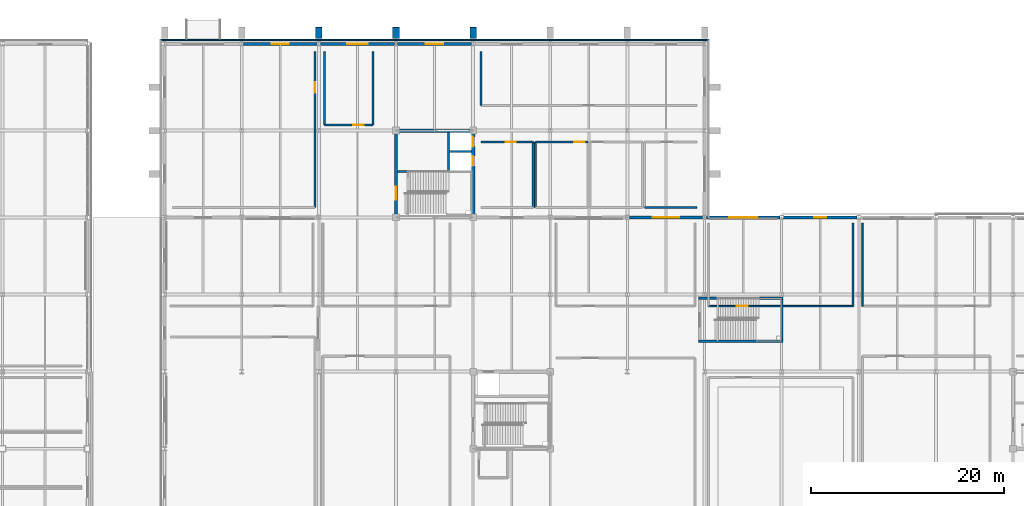
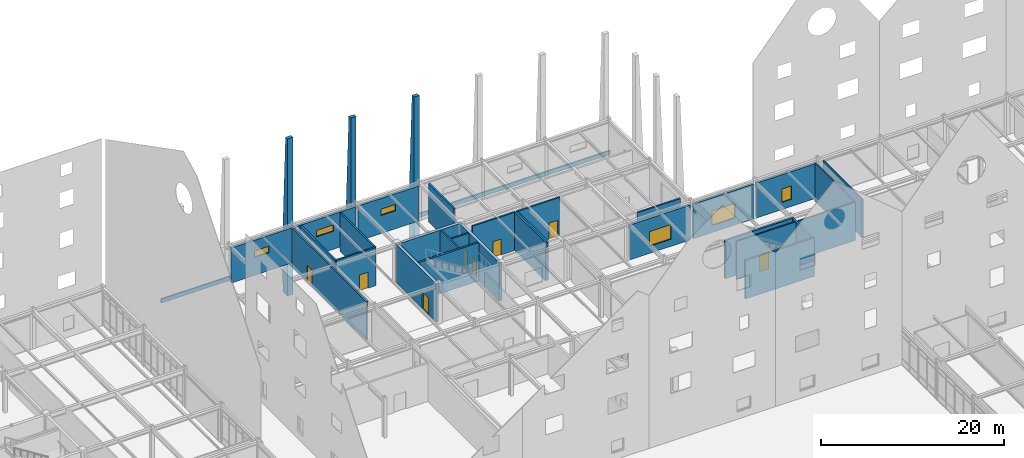
# One storey, part 94 of 119: 32 walls, 8 doors, 6 windows, 14 openings.
"""IFC4 building model written with IfcOpenShell, lengths in metres."""

from ifc_helpers import new_model, si_unit, direction, frame, frame_2d, origin, place, context, subcontext, project, spatial, polyline, rectangle, outline, extrude, material, layer, layer_set, type_object, element, fill, save


model = new_model("IFC4")

# Units and contexts
model_context = context("Model", 3, precision=1e-05, world=origin(), true_north=direction((0.0, 1.0)))
body_context = subcontext(model_context, "Body", "Model", "MODEL_VIEW")
ifc_project = project(units=[si_unit("LENGTHUNIT", "METRE"), si_unit("AREAUNIT", "SQUARE_METRE"), si_unit("VOLUMEUNIT", "CUBIC_METRE"), si_unit("PLANEANGLEUNIT", "RADIAN"), si_unit("MASSUNIT", "GRAM", prefix="KILO")], contexts=[model_context])

# Site, building, storey
site_placement = place(None, origin())
site = spatial("IfcSite", under=ifc_project, at=site_placement, CompositionType="ELEMENT")
building_placement = place(site_placement, origin())
building = spatial("IfcBuilding", under=site, at=building_placement, Name="Zhaolan Boulevard Law Courts", CompositionType="ELEMENT")
storey_placement = place(building_placement, origin())
storey = spatial("IfcBuildingStorey", under=building, at=storey_placement, Name="L00", CompositionType="ELEMENT", Elevation=0.0)

# Wall
ifc_material_1 = material(Name="Concrete C50", Category="concrete")
ifc_layer_1 = layer(ifc_material_1, 0.35009765625)
ifc_layer_set_1 = layer_set([ifc_layer_1])
wall_type_1 = type_object("IfcWallType", Name="CORE SHEAR WALL 350", PredefinedType="SHEAR", material=ifc_layer_set_1)
wall_1_placement = place(storey_placement, frame((84.175048828125, 103.0, 0.0), z_axis=(0.0, 0.0, 1.0), x_axis=(-1.0, 0.0, 0.0)))
element("IfcWall", 1, at=wall_1_placement, inside=storey, type_object=wall_type_1, Name="Core Shear Wall CW-C1-L00N", PredefinedType="SHEAR", context=body_context, shape_type="SweptSolid", body=[
    extrude(rectangle(XDim=8.35009765625, YDim=0.35009765625, at=frame_2d((4.175048828125, 0.0))), origin(), (0.0, 0.0, 1.0), 5.1201171875),
])

# Wall, opening, door
wall_2_placement = place(storey_placement, frame((76.0, 94.175048828125, 0.0), z_axis=(0.0, 0.0, 1.0), x_axis=(0.0, 1.0, 0.0)))
wall_2 = element("IfcWall", 2, at=wall_2_placement, inside=storey, type_object=wall_type_1, Name="Core Shear Wall CW-C1-L00W", PredefinedType="SHEAR", context=body_context, shape_type="SweptSolid", body=[
    extrude(rectangle(XDim=8.64990234375, YDim=0.35009765625, at=frame_2d((4.324951171875, 0.0))), origin(), (0.0, 0.0, 1.0), 5.1201171875),
])
opening_1_placement = place(wall_2_placement, frame((1.64990234375, 0.0, 0.0)))
opening_1 = element("IfcOpeningElement", 3, at=opening_1_placement, cuts=wall_2, Name="Opening SD-L00-44", PredefinedType="OPENING", context=body_context, shape_type="SweptSolid", body=[
    extrude(rectangle(XDim=1.35009765625, YDim=2.199951171875, at=frame_2d((0.675048828125, 1.10009765625))), frame((0.0, 0.18505859375, 0.0), z_axis=(0.0, -1.0, 0.0), x_axis=(1.0, 0.0, 0.0)), (0.0, 0.0, 1.0), 0.3701171875),
])
ifc_material_2 = material(Name="Fire-rated steel acoustic door", Category="steel")
door_type_1 = type_object("IfcDoorType", Name="STAIR FIRE 1350X2200 R", OperationType="SINGLE_SWING_RIGHT", PredefinedType="DOOR", material=ifc_material_2)
door_1_placement = place(opening_1_placement, origin())
door_1 = element("IfcDoor", 4, at=door_1_placement, inside=storey, type_object=door_type_1, Name="Smoke-Proof Stairwell Fire Door SD-L00-44", OperationType="SINGLE_SWING_RIGHT", OverallHeight=2.199951171875, OverallWidth=1.35009765625, PredefinedType="DOOR", context=body_context, shape_type="SweptSolid", body=[
    extrude(rectangle(XDim=1.35009765625, YDim=2.199951171875, at=frame_2d((0.675048828125, 1.10009765625))), frame((0.0, 0.02490234375, 0.0), z_axis=(0.0, -1.0, 0.0), x_axis=(1.0, 0.0, 0.0)), (0.0, 0.0, 1.0), 0.050048828125),
])
fill(opening_1, door_1)

# Wall, openings, doors
wall_3_placement = place(storey_placement, frame((84.0, 94.175048828125, 0.0), z_axis=(0.0, 0.0, 1.0), x_axis=(0.0, 1.0, 0.0)))
wall_3 = element("IfcWall", 5, at=wall_3_placement, inside=storey, type_object=wall_type_1, Name="Core Shear Wall CW-C1-L00E", PredefinedType="SHEAR", context=body_context, shape_type="SweptSolid", body=[
    extrude(rectangle(XDim=8.64990234375, YDim=0.35009765625, at=frame_2d((4.324951171875, 0.0))), origin(), (0.0, 0.0, 1.0), 5.1201171875),
])
opening_2_placement = place(wall_3_placement, frame((5.175048828125, 0.0, 0.0)))
opening_2 = element("IfcOpeningElement", 6, at=opening_2_placement, cuts=wall_3, Name="Opening LD-CL-01-L00", PredefinedType="OPENING", context=body_context, shape_type="SweptSolid", body=[
    extrude(rectangle(XDim=1.0, YDim=2.14990234375, at=frame_2d((0.5, 1.074951171875))), frame((0.0, 0.18505859375, 0.0), z_axis=(0.0, -1.0, 0.0), x_axis=(1.0, 0.0, 0.0)), (0.0, 0.0, 1.0), 0.3701171875),
])
opening_3_placement = place(wall_3_placement, frame((7.175048828125, 0.0, 0.0)))
opening_3 = element("IfcOpeningElement", 7, at=opening_3_placement, cuts=wall_3, Name="Opening LD-CL-02-L00", PredefinedType="OPENING", context=body_context, shape_type="SweptSolid", body=[
    extrude(rectangle(XDim=1.0, YDim=2.14990234375, at=frame_2d((0.5, 1.074951171875))), frame((0.0, 0.18505859375, 0.0), z_axis=(0.0, -1.0, 0.0), x_axis=(1.0, 0.0, 0.0)), (0.0, 0.0, 1.0), 0.3701171875),
])
ifc_material_3 = material(Name="Stainless steel sliding landing door", Category="steel")
door_type_2 = type_object("IfcDoorType", Name="LIFT LANDING 1000X2150", OperationType="DOUBLE_DOOR_SLIDING", PredefinedType="DOOR", material=ifc_material_3)
door_2_placement = place(opening_2_placement, origin())
door_2 = element("IfcDoor", 8, at=door_2_placement, inside=storey, type_object=door_type_2, Name="Lift Landing Sliding Door LD-CL-01-L00", OperationType="DOUBLE_DOOR_SLIDING", OverallHeight=2.14990234375, OverallWidth=1.0, PredefinedType="DOOR", context=body_context, shape_type="SweptSolid", body=[
    extrude(rectangle(XDim=1.0, YDim=2.14990234375, at=frame_2d((0.5, 1.074951171875))), frame((0.0, 0.02490234375, 0.0), z_axis=(0.0, -1.0, 0.0), x_axis=(1.0, 0.0, 0.0)), (0.0, 0.0, 1.0), 0.050048828125),
])
fill(opening_2, door_2)
door_3_placement = place(opening_3_placement, origin())
door_3 = element("IfcDoor", 9, at=door_3_placement, inside=storey, type_object=door_type_2, Name="Lift Landing Sliding Door LD-CL-02-L00", OperationType="DOUBLE_DOOR_SLIDING", OverallHeight=2.14990234375, OverallWidth=1.0, PredefinedType="DOOR", context=body_context, shape_type="SweptSolid", body=[
    extrude(rectangle(XDim=1.0, YDim=2.14990234375, at=frame_2d((0.5, 1.074951171875))), frame((0.0, 0.02490234375, 0.0), z_axis=(0.0, -1.0, 0.0), x_axis=(1.0, 0.0, 0.0)), (0.0, 0.0, 1.0), 0.050048828125),
])
fill(opening_3, door_3)

# Walls
ifc_material_4 = material(Name="Concrete C40", Category="concrete")
ifc_layer_2 = layer(ifc_material_4, 0.159912109375)
ifc_layer_set_2 = layer_set([ifc_layer_2])
wall_type_2 = type_object("IfcWallType", Name="EXT WALL ARCH CLAD160", PredefinedType="SOLIDWALL", material=ifc_layer_set_2)
wall_4_placement = place(storey_placement, frame((108.419921875, 112.419921875, 0.0), z_axis=(0.0, 0.0, 1.0), x_axis=(-1.0, 0.0, 0.0)))
element("IfcWall", 10, at=wall_4_placement, inside=storey, type_object=wall_type_2, Name="Custody Concrete Spandrel Band CBW-250", PredefinedType="SOLIDWALL", context=body_context, shape_type="SweptSolid", body=[
    extrude(rectangle(XDim=56.83984375, YDim=0.159912109375, at=frame_2d((28.419921875, 0.0))), origin(), (0.0, 0.0, 1.0), 0.550048828125),
])
ifc_material_5 = material(Name="Concrete C40", Category="concrete")
ifc_layer_3 = layer(ifc_material_5, 0.679931640625)
ifc_layer_set_3 = layer_set([ifc_layer_3])
wall_type_3 = type_object("IfcWallType", Name="EXT WALL BUTTRESS680", PredefinedType="SOLIDWALL", material=ifc_layer_set_3)
for number, where, z_axis, x_axis, name in (
    (11, (68.0, 112.5400390625, -4.800048828125), (0.0, 0.0, 1.0), (0.0, 1.0, 0.0), "Custody Battered Concrete Pier BTR-238"),
    (12, (76.0, 112.5400390625, -4.800048828125), (0.0, 0.0, 1.0), (0.0, 1.0, 0.0), "Custody Battered Concrete Pier BTR-239"),
    (13, (84.0, 112.5400390625, -4.800048828125), (0.0, 0.0, 1.0), (0.0, 1.0, 0.0), "Custody Battered Concrete Pier BTR-240"),
):
    element("IfcWall", number, at=place(storey_placement, frame(where, z_axis=z_axis, x_axis=x_axis)), inside=storey, type_object=wall_type_3, Name=name, PredefinedType="SOLIDWALL", context=body_context, shape_type="SweptSolid", body=[
        extrude(outline(polyline([(0.0, 0.0), (1.0, 0.0), (1.199951171875, 5.050048828125), (0.449951171875, 21.0), (0.0, 21.0), (0.0, 0.0)])), frame((0.0, 0.33984375, 0.0), z_axis=(0.0, -1.0, 0.0), x_axis=(1.0, 0.0, 0.0)), (0.0, 0.0, 1.0), 0.679931640625),
    ])

# Wall, opening, window
ifc_material_6 = material(Name="Concrete C40", Category="concrete")
ifc_layer_4 = layer(ifc_material_6, 0.320068359375)
ifc_layer_set_4 = layer_set([ifc_layer_4])
wall_type_4 = type_object("IfcWallType", Name="EXT WALL CONCRETE320", PredefinedType="SOLIDWALL", material=ifc_layer_set_4)
wall_5_placement = place(storey_placement, frame((107.803955078125, 94.0, 0.0), z_axis=(0.0, 0.0, 1.0), x_axis=(-1.0, 0.0, 0.0)))
wall_5 = element("IfcWall", 14, at=wall_5_placement, inside=storey, type_object=wall_type_4, Name="Exterior Wall EW-L00-189", PredefinedType="SOLIDWALL", context=body_context, shape_type="SweptSolid", body=[
    extrude(rectangle(XDim=7.60791015625, YDim=0.320068359375, at=frame_2d((3.803955078125, 0.0))), origin(), (0.0, 0.0, 1.0), 4.6630859375),
])
opening_4_placement = place(wall_5_placement, frame((2.428955078125, 0.0, 0.949951171875)))
opening_4 = element("IfcOpeningElement", 15, at=opening_4_placement, cuts=wall_5, Name="Opening WIN-L00-047", PredefinedType="OPENING", context=body_context, shape_type="SweptSolid", body=[
    extrude(rectangle(XDim=2.75, YDim=1.949951171875, at=frame_2d((1.375, 0.97509765625))), frame((0.0, 0.169921875, 0.0), z_axis=(0.0, -1.0, 0.0), x_axis=(1.0, 0.0, 0.0)), (0.0, 0.0, 1.0), 0.340087890625),
])
ifc_material_7 = material(Name="Thermally broken aluminium and low-E glazing", Category="aluminium")
window_type_1 = type_object("IfcWindowType", Name="WINDOW 2750X1950", PartitioningType="DOUBLE_PANEL_VERTICAL", PredefinedType="WINDOW", material=ifc_material_7)
window_1_placement = place(opening_4_placement, origin())
window_1 = element("IfcWindow", 16, at=window_1_placement, inside=storey, type_object=window_type_1, Name="Exterior Window WIN-L00-047", OverallHeight=1.949951171875, OverallWidth=2.75, PartitioningType="SINGLE_PANEL", PredefinedType="WINDOW", context=body_context, shape_type="SweptSolid", body=[
    extrude(rectangle(XDim=2.75, YDim=1.949951171875, at=frame_2d((1.375, 0.97509765625))), frame((0.0, 0.030029296875, 0.0), z_axis=(0.0, -1.0, 0.0), x_axis=(1.0, 0.0, 0.0)), (0.0, 0.0, 1.0), 0.06005859375),
])
fill(opening_4, window_1)

wall_6_placement = place(storey_placement, frame((115.803955078125, 94.0, 0.0), z_axis=(0.0, 0.0, 1.0), x_axis=(-1.0, 0.0, 0.0)))
wall_6 = element("IfcWall", 17, at=wall_6_placement, inside=storey, type_object=wall_type_4, Name="Exterior Wall EW-L00-190", PredefinedType="SOLIDWALL", context=body_context, shape_type="SweptSolid", body=[
    extrude(rectangle(XDim=7.60791015625, YDim=0.320068359375, at=frame_2d((3.803955078125, 0.0))), origin(), (0.0, 0.0, 1.0), 4.6630859375),
])
opening_5_placement = place(wall_6_placement, frame((2.35400390625, 0.0, 0.949951171875)))
opening_5 = element("IfcOpeningElement", 18, at=opening_5_placement, cuts=wall_6, Name="Opening WIN-L00-048", PredefinedType="OPENING", context=body_context, shape_type="SweptSolid", body=[
    extrude(rectangle(XDim=2.89990234375, YDim=1.949951171875, at=frame_2d((1.449951171875, 0.97509765625))), frame((0.0, 0.169921875, 0.0), z_axis=(0.0, -1.0, 0.0), x_axis=(1.0, 0.0, 0.0)), (0.0, 0.0, 1.0), 0.340087890625),
])
ifc_material_8 = material(Name="Thermally broken aluminium and low-E glazing", Category="aluminium")
window_type_2 = type_object("IfcWindowType", Name="WINDOW 2900X1950", PartitioningType="DOUBLE_PANEL_VERTICAL", PredefinedType="WINDOW", material=ifc_material_8)
window_2_placement = place(opening_5_placement, origin())
window_2 = element("IfcWindow", 19, at=window_2_placement, inside=storey, type_object=window_type_2, Name="Exterior Window WIN-L00-048", OverallHeight=1.949951171875, OverallWidth=2.89990234375, PartitioningType="SINGLE_PANEL", PredefinedType="WINDOW", context=body_context, shape_type="SweptSolid", body=[
    extrude(rectangle(XDim=2.89990234375, YDim=1.949951171875, at=frame_2d((1.449951171875, 0.97509765625))), frame((0.0, 0.030029296875, 0.0), z_axis=(0.0, -1.0, 0.0), x_axis=(1.0, 0.0, 0.0)), (0.0, 0.0, 1.0), 0.06005859375),
])
fill(opening_5, window_2)

wall_7_placement = place(storey_placement, frame((123.803955078125, 94.0, 0.0), z_axis=(0.0, 0.0, 1.0), x_axis=(-1.0, 0.0, 0.0)))
wall_7 = element("IfcWall", 20, at=wall_7_placement, inside=storey, type_object=wall_type_4, Name="Exterior Wall EW-L00-191", PredefinedType="SOLIDWALL", context=body_context, shape_type="SweptSolid", body=[
    extrude(rectangle(XDim=7.60791015625, YDim=0.320068359375, at=frame_2d((3.803955078125, 0.0))), origin(), (0.0, 0.0, 1.0), 4.6630859375),
])
opening_6_placement = place(wall_7_placement, frame((3.2041015625, 0.0, 0.949951171875)))
opening_6 = element("IfcOpeningElement", 21, at=opening_6_placement, cuts=wall_7, Name="Opening WIN-L00-049", PredefinedType="OPENING", context=body_context, shape_type="SweptSolid", body=[
    extrude(rectangle(XDim=1.199951171875, YDim=1.800048828125, at=frame_2d((0.60009765625, 0.89990234375))), frame((0.0, 0.169921875, 0.0), z_axis=(0.0, -1.0, 0.0), x_axis=(1.0, 0.0, 0.0)), (0.0, 0.0, 1.0), 0.340087890625),
])
ifc_material_9 = material(Name="Thermally broken aluminium and low-E glazing", Category="aluminium")
window_type_3 = type_object("IfcWindowType", Name="WINDOW 1200X1800", PartitioningType="SINGLE_PANEL", PredefinedType="WINDOW", material=ifc_material_9)
window_3_placement = place(opening_6_placement, origin())
window_3 = element("IfcWindow", 22, at=window_3_placement, inside=storey, type_object=window_type_3, Name="Exterior Window WIN-L00-049", OverallHeight=1.800048828125, OverallWidth=1.199951171875, PartitioningType="SINGLE_PANEL", PredefinedType="WINDOW", context=body_context, shape_type="SweptSolid", body=[
    extrude(rectangle(XDim=1.199951171875, YDim=1.800048828125, at=frame_2d((0.60009765625, 0.89990234375))), frame((0.0, 0.030029296875, 0.0), z_axis=(0.0, -1.0, 0.0), x_axis=(1.0, 0.0, 0.0)), (0.0, 0.0, 1.0), 0.06005859375),
])
fill(opening_6, window_3)

wall_8_placement = place(storey_placement, frame((67.8291015625, 112.0, 0.0), z_axis=(0.0, 0.0, 1.0), x_axis=(-1.0, 0.0, 0.0)))
wall_8 = element("IfcWall", 23, at=wall_8_placement, inside=storey, type_object=wall_type_4, Name="Exterior Wall EW-L00-307", PredefinedType="SOLIDWALL", context=body_context, shape_type="SweptSolid", body=[
    extrude(rectangle(XDim=7.658203125, YDim=0.320068359375, at=frame_2d((3.8291015625, 0.0))), origin(), (0.0, 0.0, 1.0), 4.68310546875),
])
opening_7_placement = place(wall_8_placement, frame((2.928955078125, 0.0, 2.39990234375)))
opening_7 = element("IfcOpeningElement", 24, at=opening_7_placement, cuts=wall_8, Name="Opening WIN-L00-163", PredefinedType="OPENING", context=body_context, shape_type="SweptSolid", body=[
    extrude(rectangle(XDim=1.800048828125, YDim=0.85009765625, at=frame_2d((0.89990234375, 0.425048828125))), frame((0.0, 0.169921875, 0.0), z_axis=(0.0, -1.0, 0.0), x_axis=(1.0, 0.0, 0.0)), (0.0, 0.0, 1.0), 0.340087890625),
])
ifc_material_10 = material(Name="Thermally broken aluminium and low-E glazing", Category="aluminium")
window_type_4 = type_object("IfcWindowType", Name="WINDOW 1800X850", PartitioningType="DOUBLE_PANEL_VERTICAL", PredefinedType="WINDOW", material=ifc_material_10)
window_4_placement = place(opening_7_placement, origin())
window_4 = element("IfcWindow", 25, at=window_4_placement, inside=storey, type_object=window_type_4, Name="Exterior Window WIN-L00-163", OverallHeight=0.85009765625, OverallWidth=1.800048828125, PartitioningType="SINGLE_PANEL", PredefinedType="WINDOW", context=body_context, shape_type="SweptSolid", body=[
    extrude(rectangle(XDim=1.800048828125, YDim=0.85009765625, at=frame_2d((0.89990234375, 0.425048828125))), frame((0.0, 0.030029296875, 0.0), z_axis=(0.0, -1.0, 0.0), x_axis=(1.0, 0.0, 0.0)), (0.0, 0.0, 1.0), 0.06005859375),
])
fill(opening_7, window_4)

wall_9_placement = place(storey_placement, frame((75.8291015625, 112.0, 0.0), z_axis=(0.0, 0.0, 1.0), x_axis=(-1.0, 0.0, 0.0)))
wall_9 = element("IfcWall", 26, at=wall_9_placement, inside=storey, type_object=wall_type_4, Name="Exterior Wall EW-L00-308", PredefinedType="SOLIDWALL", context=body_context, shape_type="SweptSolid", body=[
    extrude(rectangle(XDim=7.658203125, YDim=0.320068359375, at=frame_2d((3.8291015625, 0.0))), origin(), (0.0, 0.0, 1.0), 4.68310546875),
])
opening_8_placement = place(wall_9_placement, frame((2.779052734375, 0.0, 2.39990234375)))
opening_8 = element("IfcOpeningElement", 27, at=opening_8_placement, cuts=wall_9, Name="Opening WIN-L00-164", PredefinedType="OPENING", context=body_context, shape_type="SweptSolid", body=[
    extrude(rectangle(XDim=2.10009765625, YDim=0.85009765625, at=frame_2d((1.050048828125, 0.425048828125))), frame((0.0, 0.169921875, 0.0), z_axis=(0.0, -1.0, 0.0), x_axis=(1.0, 0.0, 0.0)), (0.0, 0.0, 1.0), 0.340087890625),
])
ifc_material_11 = material(Name="Thermally broken aluminium and low-E glazing", Category="aluminium")
window_type_5 = type_object("IfcWindowType", Name="WINDOW 2100X850", PartitioningType="DOUBLE_PANEL_VERTICAL", PredefinedType="WINDOW", material=ifc_material_11)
window_5_placement = place(opening_8_placement, origin())
window_5 = element("IfcWindow", 28, at=window_5_placement, inside=storey, type_object=window_type_5, Name="Exterior Window WIN-L00-164", OverallHeight=0.85009765625, OverallWidth=2.10009765625, PartitioningType="SINGLE_PANEL", PredefinedType="WINDOW", context=body_context, shape_type="SweptSolid", body=[
    extrude(rectangle(XDim=2.10009765625, YDim=0.85009765625, at=frame_2d((1.050048828125, 0.425048828125))), frame((0.0, 0.030029296875, 0.0), z_axis=(0.0, -1.0, 0.0), x_axis=(1.0, 0.0, 0.0)), (0.0, 0.0, 1.0), 0.06005859375),
])
fill(opening_8, window_5)

wall_10_placement = place(storey_placement, frame((83.8291015625, 112.0, 0.0), z_axis=(0.0, 0.0, 1.0), x_axis=(-1.0, 0.0, 0.0)))
wall_10 = element("IfcWall", 29, at=wall_10_placement, inside=storey, type_object=wall_type_4, Name="Exterior Wall EW-L00-309", PredefinedType="SOLIDWALL", context=body_context, shape_type="SweptSolid", body=[
    extrude(rectangle(XDim=7.658203125, YDim=0.320068359375, at=frame_2d((3.8291015625, 0.0))), origin(), (0.0, 0.0, 1.0), 4.68310546875),
])
opening_9_placement = place(wall_10_placement, frame((2.928955078125, 0.0, 2.39990234375)))
opening_9 = element("IfcOpeningElement", 30, at=opening_9_placement, cuts=wall_10, Name="Opening WIN-L00-165", PredefinedType="OPENING", context=body_context, shape_type="SweptSolid", body=[
    extrude(rectangle(XDim=1.800048828125, YDim=0.85009765625, at=frame_2d((0.89990234375, 0.425048828125))), frame((0.0, 0.169921875, 0.0), z_axis=(0.0, -1.0, 0.0), x_axis=(1.0, 0.0, 0.0)), (0.0, 0.0, 1.0), 0.340087890625),
])
window_6_placement = place(opening_9_placement, origin())
window_6 = element("IfcWindow", 31, at=window_6_placement, inside=storey, type_object=window_type_4, Name="Exterior Window WIN-L00-165", OverallHeight=0.85009765625, OverallWidth=1.800048828125, PartitioningType="SINGLE_PANEL", PredefinedType="WINDOW", context=body_context, shape_type="SweptSolid", body=[
    extrude(rectangle(XDim=1.800048828125, YDim=0.85009765625, at=frame_2d((0.89990234375, 0.425048828125))), frame((0.0, 0.030029296875, 0.0), z_axis=(0.0, -1.0, 0.0), x_axis=(1.0, 0.0, 0.0)), (0.0, 0.0, 1.0), 0.06005859375),
])
fill(opening_9, window_6)

# Wall, opening, door
ifc_material_12 = material(Name="Fire-rated gypsum stud partition")
ifc_layer_5 = layer(ifc_material_12, 0.159912109375)
ifc_layer_set_5 = layer_set([ifc_layer_5])
wall_type_5 = type_object("IfcWallType", Name="PART WALL CHAMB160", PredefinedType="PARTITIONING", material=ifc_layer_set_5)
wall_11_placement = place(storey_placement, frame((108.39990234375, 84.800048828125, 0.0), z_axis=(0.0, 0.0, 1.0), x_axis=(1.0, 0.0, 0.0)))
wall_11 = element("IfcWall", 32, at=wall_11_placement, inside=storey, type_object=wall_type_5, Name="Interior Partition PW-L00-290", PredefinedType="PARTITIONING", context=body_context, shape_type="SweptSolid", body=[
    extrude(rectangle(XDim=15.0, YDim=0.159912109375, at=frame_2d((7.5, 0.0))), origin(), (0.0, 0.0, 1.0), 5.1201171875),
])
opening_10_placement = place(wall_11_placement, frame((2.949951171875, 0.0, 0.0)))
opening_10 = element("IfcOpeningElement", 33, at=opening_10_placement, cuts=wall_11, Name="Opening JR-L00-089", PredefinedType="OPENING", context=body_context, shape_type="SweptSolid", body=[
    extrude(rectangle(XDim=1.14990234375, YDim=2.199951171875, at=frame_2d((0.574951171875, 1.10009765625))), frame((0.0, 0.08984375, 0.0), z_axis=(0.0, -1.0, 0.0), x_axis=(1.0, 0.0, 0.0)), (0.0, 0.0, 1.0), 0.179931640625),
])
ifc_material_13 = material(Name="Solid-core acoustic oak veneer door")
door_type_3 = type_object("IfcDoorType", Name="JURY DOOR 1150X2200 L", OperationType="SINGLE_SWING_LEFT", PredefinedType="DOOR", material=ifc_material_13)
door_4_placement = place(opening_10_placement, origin())
door_4 = element("IfcDoor", 34, at=door_4_placement, inside=storey, type_object=door_type_3, Name="Door JR-L00-089 (Jury Room L00-04)", OperationType="SINGLE_SWING_LEFT", OverallHeight=2.199951171875, OverallWidth=1.14990234375, PredefinedType="DOOR", context=body_context, shape_type="SweptSolid", body=[
    extrude(rectangle(XDim=1.14990234375, YDim=2.199951171875, at=frame_2d((0.574951171875, 1.10009765625))), frame((0.0, 0.02490234375, 0.0), z_axis=(0.0, -1.0, 0.0), x_axis=(1.0, 0.0, 0.0)), (0.0, 0.0, 1.0), 0.050048828125),
])
fill(opening_10, door_4)

# Walls
for number, where, z_axis, x_axis, name in (
    (35, (123.39990234375, 84.800048828125, 0.0), (0.0, 0.0, 1.0), (0.0, 1.0, 0.0), "Interior Partition PW-L00-292"),
    (36, (124.39990234375, 93.39990234375, 0.0), (0.0, 0.0, 1.0), (0.0, -1.0, 0.0), "Interior Partition PW-L00-294"),
):
    element("IfcWall", number, at=place(storey_placement, frame(where, z_axis=z_axis, x_axis=x_axis)), inside=storey, type_object=wall_type_5, Name=name, PredefinedType="PARTITIONING", context=body_context, shape_type="SweptSolid", body=[
        extrude(rectangle(XDim=8.599853515625, YDim=0.159912109375, at=frame_2d((4.2998046875, 0.0))), origin(), (0.0, 0.0, 1.0), 5.1201171875),
    ])
ifc_material_14 = material(Name="Concrete C40", Category="concrete")
ifc_layer_6 = layer(ifc_material_14, 0.2099609375)
ifc_layer_set_6 = layer_set([ifc_layer_6])
wall_type_6 = type_object("IfcWallType", Name="PART WALL CUSTODY210", PredefinedType="PARTITIONING", material=ifc_layer_set_6)
wall_12_placement = place(storey_placement, frame((81.465087890625, 98.8720703125, 0.0), z_axis=(0.0, 0.0, 1.0), x_axis=(0.0, 1.0, 0.0)))
element("IfcWall", 37, at=wall_12_placement, inside=storey, type_object=wall_type_6, Name="Lift Shaft Enclosure Wall C1W (L00)", PredefinedType="PARTITIONING", context=body_context, shape_type="SweptSolid", body=[
    extrude(rectangle(XDim=3.950927734375, YDim=0.2099609375, at=frame_2d((1.9755859375, 0.0))), origin(), (0.0, 0.0, 1.0), 5.1201171875),
])
wall_13_placement = place(storey_placement, frame((81.572021484375, 100.85009765625, 0.0), z_axis=(0.0, 0.0, 1.0), x_axis=(1.0, 0.0, 0.0)))
element("IfcWall", 38, at=wall_13_placement, inside=storey, type_object=wall_type_6, Name="Lift Shaft Divider Wall C1 (L00)", PredefinedType="PARTITIONING", context=body_context, shape_type="SweptSolid", body=[
    extrude(rectangle(XDim=2.2509765625, YDim=0.2099609375, at=frame_2d((1.12548828125, 0.0))), origin(), (0.0, 0.0, 1.0), 5.1201171875),
])

# Wall, opening, door
wall_14_placement = place(storey_placement, frame((67.60009765625, 95.0, 0.0), z_axis=(0.0, 0.0, 1.0), x_axis=(0.0, 1.0, 0.0)))
wall_14 = element("IfcWall", 39, at=wall_14_placement, inside=storey, type_object=wall_type_6, Name="Interior Partition PW-L00-322", PredefinedType="PARTITIONING", context=body_context, shape_type="SweptSolid", body=[
    extrude(rectangle(XDim=16.199951171875, YDim=0.2099609375, at=frame_2d((8.10009765625, 0.0))), origin(), (0.0, 0.0, 1.0), 5.1201171875),
])
opening_11_placement = place(wall_14_placement, frame((11.93994140625, 0.0, 0.0)))
opening_11 = element("IfcOpeningElement", 40, at=opening_11_placement, cuts=wall_14, Name="Opening CD-L00-100", PredefinedType="OPENING", context=body_context, shape_type="SweptSolid", body=[
    extrude(rectangle(XDim=1.050048828125, YDim=2.14990234375, at=frame_2d((0.52490234375, 1.074951171875))), frame((0.0, 0.114990234375, 0.0), z_axis=(0.0, -1.0, 0.0), x_axis=(1.0, 0.0, 0.0)), (0.0, 0.0, 1.0), 0.22998046875),
])
ifc_material_15 = material(Name="Fire-rated steel acoustic door", Category="steel")
door_type_4 = type_object("IfcDoorType", Name="CUSTODY DOOR 1050X2150 R", OperationType="SINGLE_SWING_RIGHT", PredefinedType="DOOR", material=ifc_material_15)
door_5_placement = place(opening_11_placement, origin())
door_5 = element("IfcDoor", 41, at=door_5_placement, inside=storey, type_object=door_type_4, Name="Door CD-L00-100 (Sally-Port Secure Vehicle Dock)", OperationType="SINGLE_SWING_RIGHT", OverallHeight=2.14990234375, OverallWidth=1.050048828125, PredefinedType="DOOR", context=body_context, shape_type="SweptSolid", body=[
    extrude(rectangle(XDim=1.050048828125, YDim=2.14990234375, at=frame_2d((0.52490234375, 1.074951171875))), frame((0.0, 0.02490234375, 0.0), z_axis=(0.0, -1.0, 0.0), x_axis=(1.0, 0.0, 0.0)), (0.0, 0.0, 1.0), 0.050048828125),
])
fill(opening_11, door_5)

wall_15_placement = place(storey_placement, frame((68.60009765625, 103.60009765625, 0.0), z_axis=(0.0, 0.0, 1.0), x_axis=(1.0, 0.0, 0.0)))
wall_15 = element("IfcWall", 42, at=wall_15_placement, inside=storey, type_object=wall_type_6, Name="Interior Partition PW-L00-323", PredefinedType="PARTITIONING", context=body_context, shape_type="SweptSolid", body=[
    extrude(rectangle(XDim=5.0, YDim=0.2099609375, at=frame_2d((2.5, 0.0))), origin(), (0.0, 0.0, 1.0), 5.1201171875),
])
opening_12_placement = place(wall_15_placement, frame((2.93994140625, 0.0, 0.0)))
opening_12 = element("IfcOpeningElement", 43, at=opening_12_placement, cuts=wall_15, Name="Opening CD-L00-101", PredefinedType="OPENING", context=body_context, shape_type="SweptSolid", body=[
    extrude(rectangle(XDim=1.10009765625, YDim=2.14990234375, at=frame_2d((0.550048828125, 1.074951171875))), frame((0.0, 0.114990234375, 0.0), z_axis=(0.0, -1.0, 0.0), x_axis=(1.0, 0.0, 0.0)), (0.0, 0.0, 1.0), 0.22998046875),
])
ifc_material_16 = material(Name="Fire-rated steel acoustic door", Category="steel")
door_type_5 = type_object("IfcDoorType", Name="CUSTODY DOOR 1100X2150 L", OperationType="SINGLE_SWING_LEFT", PredefinedType="DOOR", material=ifc_material_16)
door_6_placement = place(opening_12_placement, origin())
door_6 = element("IfcDoor", 44, at=door_6_placement, inside=storey, type_object=door_type_5, Name="Door CD-L00-101 (Custody Suite Control Room)", OperationType="SINGLE_SWING_LEFT", OverallHeight=2.14990234375, OverallWidth=1.10009765625, PredefinedType="DOOR", context=body_context, shape_type="SweptSolid", body=[
    extrude(rectangle(XDim=1.10009765625, YDim=2.14990234375, at=frame_2d((0.550048828125, 1.074951171875))), frame((0.0, 0.02490234375, 0.0), z_axis=(0.0, -1.0, 0.0), x_axis=(1.0, 0.0, 0.0)), (0.0, 0.0, 1.0), 0.050048828125),
])
fill(opening_12, door_6)

# Walls
for number, where, z_axis, x_axis, name in (
    (45, (68.60009765625, 111.199951171875, 0.0), (0.0, 0.0, 1.0), (0.0, -1.0, 0.0), "Interior Partition PW-L00-324"),
    (46, (73.60009765625, 103.60009765625, 0.0), (0.0, 0.0, 1.0), (0.0, 1.0, 0.0), "Interior Partition PW-L00-325"),
):
    element("IfcWall", number, at=place(storey_placement, frame(where, z_axis=z_axis, x_axis=x_axis)), inside=storey, type_object=wall_type_6, Name=name, PredefinedType="PARTITIONING", context=body_context, shape_type="SweptSolid", body=[
        extrude(rectangle(XDim=7.599853515625, YDim=0.2099609375, at=frame_2d((3.7998046875, 0.0))), origin(), (0.0, 0.0, 1.0), 5.1201171875),
    ])

# Wall, opening, door
wall_16_placement = place(storey_placement, frame((90.235107421875, 101.800048828125, 0.0), z_axis=(0.0, 0.0, 1.0), x_axis=(-1.0, 0.0, 0.0)))
wall_16 = element("IfcWall", 47, at=wall_16_placement, inside=storey, type_object=wall_type_6, Name="Interior Partition PW-L00-327", PredefinedType="PARTITIONING", context=body_context, shape_type="SweptSolid", body=[
    extrude(rectangle(XDim=5.43505859375, YDim=0.2099609375, at=frame_2d((2.717529296875, 0.0))), origin(), (0.0, 0.0, 1.0), 5.1201171875),
])
opening_13_placement = place(wall_16_placement, frame((1.81396484375, 0.0, 0.0)))
opening_13 = element("IfcOpeningElement", 48, at=opening_13_placement, cuts=wall_16, Name="Opening CD-L00-102", PredefinedType="OPENING", context=body_context, shape_type="SweptSolid", body=[
    extrude(rectangle(XDim=1.050048828125, YDim=2.14990234375, at=frame_2d((0.52490234375, 1.074951171875))), frame((0.0, 0.114990234375, 0.0), z_axis=(0.0, -1.0, 0.0), x_axis=(1.0, 0.0, 0.0)), (0.0, 0.0, 1.0), 0.22998046875),
])
door_7_placement = place(opening_13_placement, origin())
door_7 = element("IfcDoor", 49, at=door_7_placement, inside=storey, type_object=door_type_4, Name="Door CD-L00-102 (Custody Suite Holding Cell L00-01)", OperationType="SINGLE_SWING_RIGHT", OverallHeight=2.14990234375, OverallWidth=1.050048828125, PredefinedType="DOOR", context=body_context, shape_type="SweptSolid", body=[
    extrude(rectangle(XDim=1.050048828125, YDim=2.14990234375, at=frame_2d((0.52490234375, 1.074951171875))), frame((0.0, 0.02490234375, 0.0), z_axis=(0.0, -1.0, 0.0), x_axis=(1.0, 0.0, 0.0)), (0.0, 0.0, 1.0), 0.050048828125),
])
fill(opening_13, door_7)

# Wall
wall_17_placement = place(storey_placement, frame((90.235107421875, 95.0, 0.0), z_axis=(0.0, 0.0, 1.0), x_axis=(0.0, 1.0, 0.0)))
element("IfcWall", 50, at=wall_17_placement, inside=storey, type_object=wall_type_6, Name="Interior Partition PW-L00-328", PredefinedType="PARTITIONING", context=body_context, shape_type="SweptSolid", body=[
    extrude(rectangle(XDim=6.800048828125, YDim=0.2099609375, at=frame_2d((3.39990234375, 0.0))), origin(), (0.0, 0.0, 1.0), 5.1201171875),
])

# Wall, opening, door
wall_18_placement = place(storey_placement, frame((95.889892578125, 101.800048828125, 0.0), z_axis=(0.0, 0.0, 1.0), x_axis=(-1.0, 0.0, 0.0)))
wall_18 = element("IfcWall", 51, at=wall_18_placement, inside=storey, type_object=wall_type_6, Name="Interior Partition PW-L00-330", PredefinedType="PARTITIONING", context=body_context, shape_type="SweptSolid", body=[
    extrude(rectangle(XDim=5.434814453125, YDim=0.2099609375, at=frame_2d((2.71728515625, 0.0))), origin(), (0.0, 0.0, 1.0), 5.1201171875),
])
opening_14_placement = place(wall_18_placement, frame((0.300048828125, 0.0, 0.0)))
opening_14 = element("IfcOpeningElement", 52, at=opening_14_placement, cuts=wall_18, Name="Opening CD-L00-103", PredefinedType="OPENING", context=body_context, shape_type="SweptSolid", body=[
    extrude(rectangle(XDim=1.10009765625, YDim=2.14990234375, at=frame_2d((0.550048828125, 1.074951171875))), frame((0.0, 0.114990234375, 0.0), z_axis=(0.0, -1.0, 0.0), x_axis=(1.0, 0.0, 0.0)), (0.0, 0.0, 1.0), 0.22998046875),
])
door_8_placement = place(opening_14_placement, origin())
door_8 = element("IfcDoor", 53, at=door_8_placement, inside=storey, type_object=door_type_5, Name="Door CD-L00-103 (Custody Suite Holding Cell L00-02)", OperationType="SINGLE_SWING_LEFT", OverallHeight=2.14990234375, OverallWidth=1.10009765625, PredefinedType="DOOR", context=body_context, shape_type="SweptSolid", body=[
    extrude(rectangle(XDim=1.10009765625, YDim=2.14990234375, at=frame_2d((0.550048828125, 1.074951171875))), frame((0.0, 0.02490234375, 0.0), z_axis=(0.0, -1.0, 0.0), x_axis=(1.0, 0.0, 0.0)), (0.0, 0.0, 1.0), 0.050048828125),
])
fill(opening_14, door_8)

# Walls
wall_19_placement = place(storey_placement, frame((90.455078125, 101.800048828125, 0.0), z_axis=(0.0, 0.0, 1.0), x_axis=(0.0, -1.0, 0.0)))
element("IfcWall", 54, at=wall_19_placement, inside=storey, type_object=wall_type_6, Name="Interior Partition PW-L00-331", PredefinedType="PARTITIONING", context=body_context, shape_type="SweptSolid", body=[
    extrude(rectangle(XDim=6.800048828125, YDim=0.2099609375, at=frame_2d((3.39990234375, 0.0))), origin(), (0.0, 0.0, 1.0), 5.1201171875),
])
wall_20_placement = place(storey_placement, frame((101.764892578125, 95.0, 0.0), z_axis=(0.0, 0.0, 1.0), x_axis=(1.0, 0.0, 0.0)))
element("IfcWall", 55, at=wall_20_placement, inside=storey, type_object=wall_type_6, Name="Interior Partition PW-L00-337", PredefinedType="PARTITIONING", context=body_context, shape_type="SweptSolid", body=[
    extrude(rectangle(XDim=5.43505859375, YDim=0.2099609375, at=frame_2d((2.717529296875, 0.0))), origin(), (0.0, 0.0, 1.0), 5.1201171875),
])
wall_21_placement = place(storey_placement, frame((84.800048828125, 111.199951171875, 0.0), z_axis=(0.0, 0.0, 1.0), x_axis=(0.0, -1.0, 0.0)))
element("IfcWall", 56, at=wall_21_placement, inside=storey, type_object=wall_type_6, Name="Interior Partition PW-L00-341", PredefinedType="PARTITIONING", context=body_context, shape_type="SweptSolid", body=[
    extrude(rectangle(XDim=5.599853515625, YDim=0.2099609375, at=frame_2d((2.7998046875, 0.0))), origin(), (0.0, 0.0, 1.0), 5.1201171875),
])
ifc_material_17 = material(Name="Concrete C50", Category="concrete")
ifc_layer_7 = layer(ifc_material_17, 0.239990234375)
ifc_layer_set_7 = layer_set([ifc_layer_7])
wall_type_7 = type_object("IfcWallType", Name="STAIR WELL WALL 240", PredefinedType="SHEAR", material=ifc_layer_set_7)
wall_22_placement = place(storey_placement, frame((76.175048828125, 98.75, 0.0), z_axis=(0.0, 0.0, 1.0), x_axis=(1.0, 0.0, 0.0)))
element("IfcWall", 57, at=wall_22_placement, inside=storey, type_object=wall_type_7, Name="Stairwell Divider Shear Wall ST11-L00N", PredefinedType="SHEAR", context=body_context, shape_type="SweptSolid", body=[
    extrude(rectangle(XDim=7.64990234375, YDim=0.239990234375, at=frame_2d((3.824951171875, 0.0))), origin(), (0.0, 0.0, 1.0), 5.1201171875),
])
for number, where, z_axis, x_axis, name in (
    (58, (107.3798828125, 81.14990234375, 0.0), (0.0, 0.0, 1.0), (1.0, 0.0, 0.0), "Stairwell Shear Wall ST13-L00S"),
    (59, (116.1201171875, 85.60009765625, 0.0), (0.0, 0.0, 1.0), (-1.0, 0.0, 0.0), "Stairwell Shear Wall ST13-L00N"),
):
    element("IfcWall", number, at=place(storey_placement, frame(where, z_axis=z_axis, x_axis=x_axis)), inside=storey, type_object=wall_type_7, Name=name, PredefinedType="SHEAR", context=body_context, shape_type="SweptSolid", body=[
        extrude(rectangle(XDim=8.740234375, YDim=0.239990234375, at=frame_2d((4.3701171875, 0.0))), origin(), (0.0, 0.0, 1.0), 5.1201171875),
    ])
wall_23_placement = place(storey_placement, frame((116.0, 81.27001953125, 0.0), z_axis=(0.0, 0.0, 1.0), x_axis=(0.0, 1.0, 0.0)))
element("IfcWall", 60, at=wall_23_placement, inside=storey, type_object=wall_type_7, Name="Stairwell Shear Wall ST13-L00E", PredefinedType="SHEAR", context=body_context, shape_type="SweptSolid", body=[
    extrude(rectangle(XDim=4.2099609375, YDim=0.239990234375, at=frame_2d((2.10498046875, 0.0))), origin(), (0.0, 0.0, 1.0), 5.1201171875),
])

save(model, "model.ifc")
